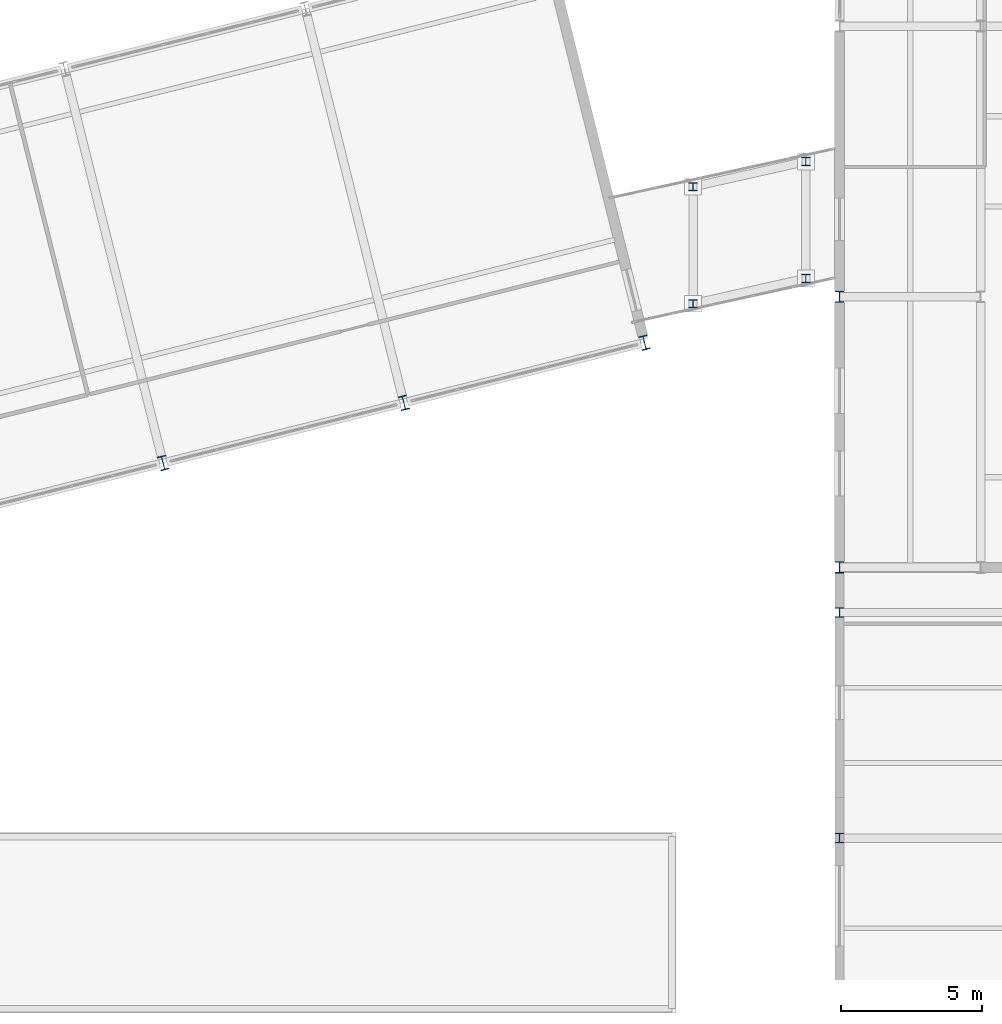
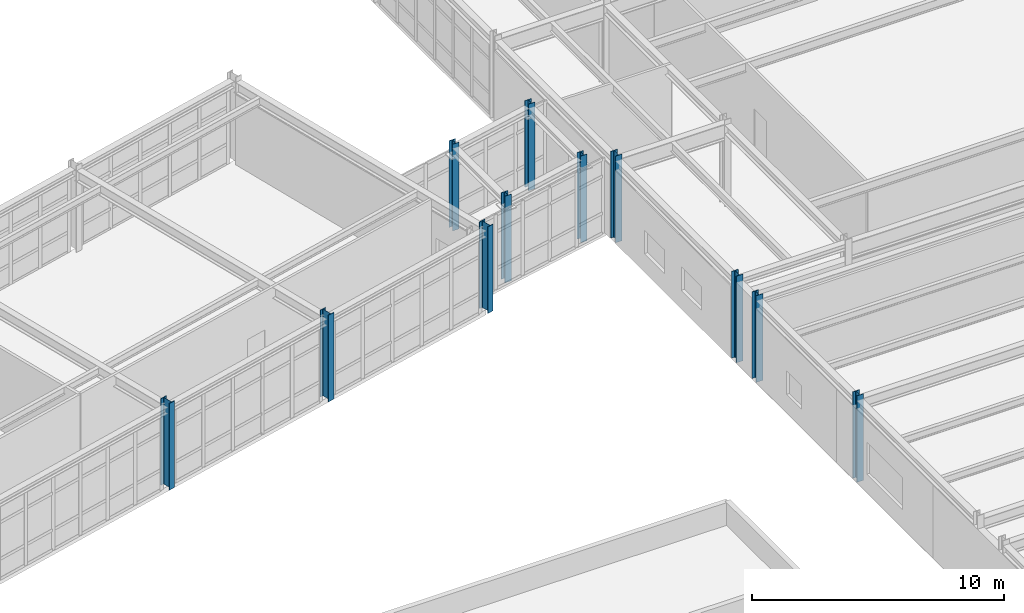
# One storey, part 7 of 99: 11 columns.
"""IFC4 building model written with IfcOpenShell, lengths in metres."""

from ifc_helpers import new_model, si_unit, direction, frame, origin, origin_2d, place, context, subcontext, project, spatial, i_section, extrude, material, material_profile, profile_set, type_object, element, save


model = new_model("IFC4")

# Units and contexts
model_context = context("Model", 3, precision=1e-05, world=origin(), true_north=direction((0.0, 1.0)))
body_context = subcontext(model_context, "Body", "Model", "MODEL_VIEW")
ifc_project = project(units=[si_unit("LENGTHUNIT", "METRE"), si_unit("AREAUNIT", "SQUARE_METRE"), si_unit("VOLUMEUNIT", "CUBIC_METRE"), si_unit("PLANEANGLEUNIT", "RADIAN"), si_unit("MASSUNIT", "GRAM", prefix="KILO")], contexts=[model_context])

# Site, building, storey
site_placement = place(None, origin())
site = spatial("IfcSite", under=ifc_project, at=site_placement, CompositionType="ELEMENT")
building_placement = place(site_placement, origin())
building = spatial("IfcBuilding", under=site, at=building_placement, Name="Nordkorset Police Headquarters", CompositionType="ELEMENT")
storey_placement = place(building_placement, frame((0.0, 0.0, 5.25)))
storey = spatial("IfcBuildingStorey", under=building, at=storey_placement, Name="L01", CompositionType="ELEMENT", Elevation=5.25)

# Columns
ifc_material_1 = material(Name="Steel S355J2", Category="steel")
ifc_material_profile_1 = material_profile(ifc_material_1, i_section(OverallWidth=0.300048828125, OverallDepth=0.300048828125, WebThickness=0.010986328125, FlangeThickness=0.01904296875, FilletRadius=0.027099609375, at=origin_2d()), Name="HEB 300")
ifc_profile_set_1 = profile_set([ifc_material_profile_1], Name="Steel S355J2")
column_type_1 = type_object("IfcColumnType", Name="Col_HEB_300", PredefinedType="COLUMN", material=ifc_profile_set_1)
for number, where, z_axis, x_axis, name in (
    (1, (81.199951171875, 61.5, 0.0), (0.0, 0.0, 1.0), (1.0, 0.0, 0.0), "Courtyard Link Bridge Column BRG_E_W1 L01"),
    (2, (81.199951171875, 57.35009765625, 0.0), (0.0, 0.0, 1.0), (1.0, 0.0, 0.0), "Courtyard Link Bridge Column BRG_E_W2 L01"),
    (3, (85.199951171875, 62.39990234375, 0.0), (0.0, 0.0, 1.0), (1.0, 0.0, 0.0), "Courtyard Link Bridge Column BRG_E_E1 L01"),
    (4, (85.199951171875, 58.25, 0.0), (0.0, 0.0, 1.0), (1.0, 0.0, 0.0), "Courtyard Link Bridge Column BRG_E_E2 L01"),
):
    element("IfcColumn", number, at=place(storey_placement, frame(where, z_axis=z_axis, x_axis=x_axis)), inside=storey, type_object=column_type_1, Name=name, PredefinedType="COLUMN", context=body_context, shape_type="SweptSolid", body=[
        extrude(i_section(OverallWidth=0.300048828125, OverallDepth=0.300048828125, WebThickness=0.010986328125, FlangeThickness=0.01904296875, FilletRadius=0.027099609375, at=origin_2d()), origin(), (0.0, 0.0, 1.0), 4.199951171875),
    ])
ifc_material_2 = material(Name="Steel S355J2", Category="steel")
ifc_material_profile_2 = material_profile(ifc_material_2, i_section(OverallWidth=0.300048828125, OverallDepth=0.340087890625, WebThickness=0.011962890625, FlangeThickness=0.021484375, FilletRadius=0.027099609375, at=origin_2d()), Name="HEB 340")
ifc_profile_set_2 = profile_set([ifc_material_profile_2], Name="Steel S355J2")
column_type_2 = type_object("IfcColumnType", Name="Col_HEB_340", PredefinedType="COLUMN", material=ifc_profile_set_2)
for number, where, z_axis, x_axis, name in (
    (5, (86.39990234375, 38.39990234375, 0.0), (0.0, 0.0, 1.0), (1.0, 0.0, 0.0), "Structural Column SUB_C_6_0 L01"),
    (6, (86.39990234375, 46.39990234375, 0.0), (0.0, 0.0, 1.0), (1.0, 0.0, 0.0), "Structural Column V7_EC_0_464 L01"),
):
    element("IfcColumn", number, at=place(storey_placement, frame(where, z_axis=z_axis, x_axis=x_axis)), inside=storey, type_object=column_type_2, Name=name, PredefinedType="COLUMN", context=body_context, shape_type="SweptSolid", body=[
        extrude(i_section(OverallWidth=0.300048828125, OverallDepth=0.340087890625, WebThickness=0.011962890625, FlangeThickness=0.021484375, FilletRadius=0.027099609375, at=origin_2d()), origin(), (0.0, 0.0, 1.0), 4.199951171875),
    ])
ifc_material_3 = material(Name="Steel S355J2", Category="steel")
ifc_material_profile_3 = material_profile(ifc_material_3, i_section(OverallWidth=0.300048828125, OverallDepth=0.39990234375, WebThickness=0.013427734375, FlangeThickness=0.02392578125, FilletRadius=0.027099609375, at=origin_2d()), Name="HEB 400")
ifc_profile_set_3 = profile_set([ifc_material_profile_3], Name="Steel S355J2")
column_type_3 = type_object("IfcColumnType", Name="Col_HEB_400", PredefinedType="COLUMN", material=ifc_profile_set_3)
for number, where, z_axis, x_axis, name in (
    (7, (86.39990234375, 48.0, 0.0), (0.0, 0.0, 1.0), (1.0, 0.0, 0.0), "Structural Column V5_X0_0 L01"),
    (8, (86.39990234375, 57.60009765625, 0.0), (0.0, 0.0, 1.0), (1.0, 0.0, 0.0), "Structural Column V5_X0_1 L01"),
):
    element("IfcColumn", number, at=place(storey_placement, frame(where, z_axis=z_axis, x_axis=x_axis)), inside=storey, type_object=column_type_3, Name=name, PredefinedType="COLUMN", context=body_context, shape_type="SweptSolid", body=[
        extrude(i_section(OverallWidth=0.300048828125, OverallDepth=0.39990234375, WebThickness=0.013427734375, FlangeThickness=0.02392578125, FilletRadius=0.027099609375, at=origin_2d()), origin(), (0.0, 0.0, 1.0), 4.199951171875),
    ])
ifc_material_4 = material(Name="Steel S355J2", Category="steel")
ifc_material_profile_4 = material_profile(ifc_material_4, i_section(OverallWidth=0.300048828125, OverallDepth=0.5, WebThickness=0.014404296875, FlangeThickness=0.028076171875, FilletRadius=0.027099609375, at=origin_2d()), Name="HEB 500")
ifc_profile_set_4 = profile_set([ifc_material_profile_4], Name="Steel S355J2")
column_type_4 = type_object("IfcColumnType", Name="Col_HEB_500", PredefinedType="COLUMN", material=ifc_profile_set_4)
for number, where, z_axis, x_axis, name in (
    (9, (62.40576171875, 51.701416015625, 0.0), (0.0, 0.0, 1.0), (0.970142500145, 0.242535625038, 0.0), "Structural Column V4_U4_V0 L01"),
    (10, (70.94287109375, 53.835693359375, 0.0), (0.0, 0.0, 1.0), (0.970142500145, 0.242535625038, 0.0), "Structural Column V4_U5_V0 L01"),
    (11, (79.480224609375, 55.969970703125, 0.0), (0.0, 0.0, 1.0), (0.970142500145, 0.242535625038, 0.0), "Structural Column V4_U6_V0 L01"),
):
    element("IfcColumn", number, at=place(storey_placement, frame(where, z_axis=z_axis, x_axis=x_axis)), inside=storey, type_object=column_type_4, Name=name, PredefinedType="COLUMN", context=body_context, shape_type="SweptSolid", body=[
        extrude(i_section(OverallWidth=0.300048828125, OverallDepth=0.5, WebThickness=0.014404296875, FlangeThickness=0.028076171875, FilletRadius=0.027099609375, at=origin_2d()), origin(), (0.0, 0.0, 1.0), 4.199951171875),
    ])

save(model, "model.ifc")
